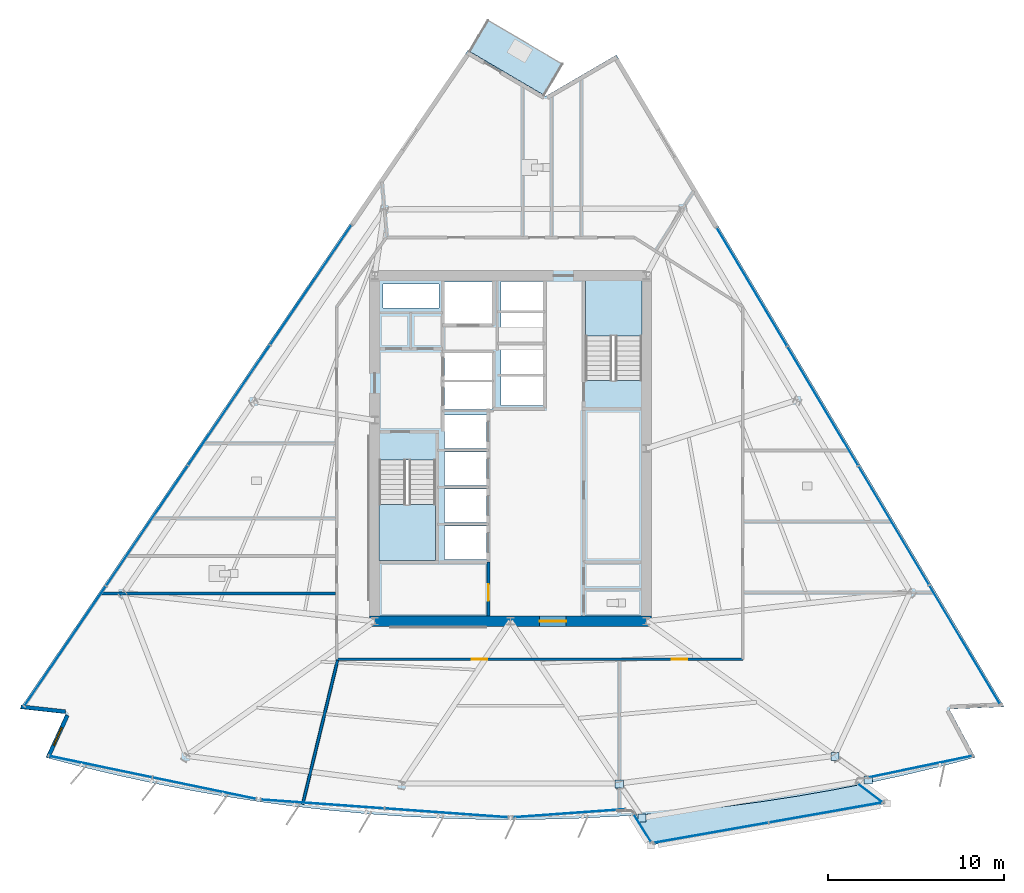
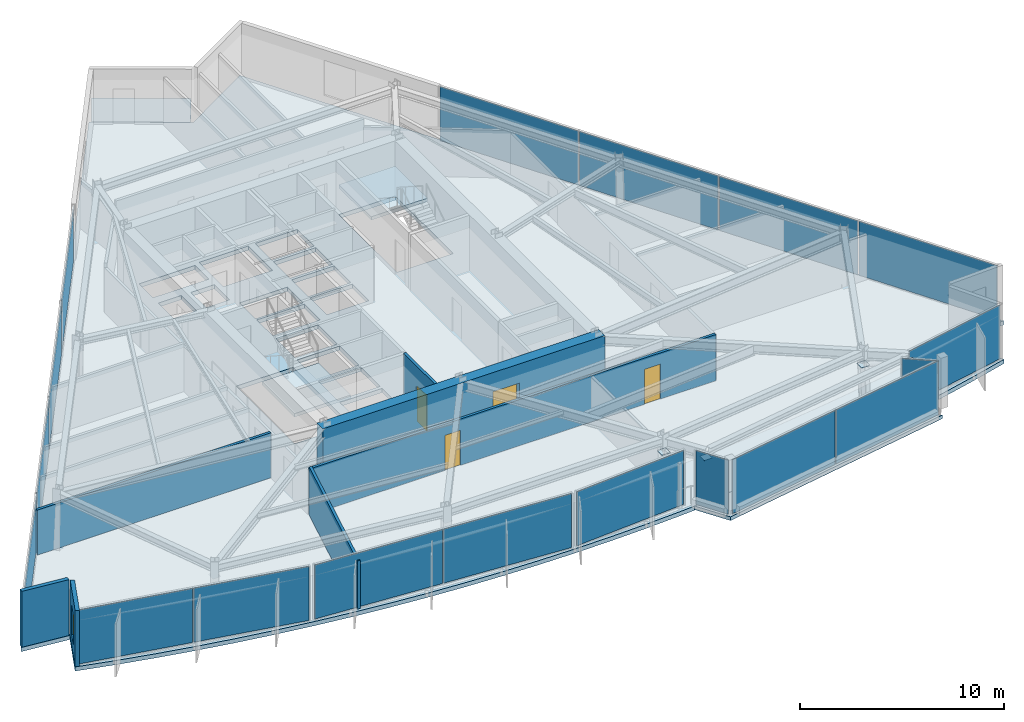
# One storey, part 7 of 15: 22 plates, 7 walls, 5 slabs, 4 doors, 1 window, 5 openings, 11 elements without a shape of their own.
"""IFC4 building model written with IfcOpenShell, lengths in metres."""

from ifc_helpers import new_model, si_unit, direction, frame, frame_2d, origin, origin_2d, place, context, subcontext, project, spatial, polyline, rectangle, outline, extrude, material, layer, layer_set, type_object, element, fill, aggregate, save


model = new_model("IFC4")

# Units and contexts
model_context = context("Model", 3, precision=1e-05, world=origin(), true_north=direction((0.0, 1.0)))
body_context = subcontext(model_context, "Body", "Model", "MODEL_VIEW")
ifc_project = project(units=[si_unit("LENGTHUNIT", "METRE"), si_unit("AREAUNIT", "SQUARE_METRE"), si_unit("VOLUMEUNIT", "CUBIC_METRE"), si_unit("PLANEANGLEUNIT", "RADIAN"), si_unit("MASSUNIT", "GRAM", prefix="KILO")], contexts=[model_context])

# Site, building, storey
site_placement = place(None, origin())
site = spatial("IfcSite", under=ifc_project, at=site_placement, CompositionType="ELEMENT")
building_placement = place(site_placement, origin())
building = spatial("IfcBuilding", under=site, at=building_placement, Name="Savorim Split Tower", CompositionType="ELEMENT")
storey_placement = place(building_placement, frame((0.0, 0.0, 122.10009765625)))
storey = spatial("IfcBuildingStorey", under=building, at=storey_placement, Name="L32", CompositionType="ELEMENT", Elevation=122.10009765625)

# Curtain wall, plates
ifc_material_1 = material(Name="Dark Ceramic-Fritted Insulated Glass", Category="glass")
curtain_wall_type_1 = type_object("IfcCurtainWallType", Name="CW-TWR-FRIT-A", PredefinedType="NOTDEFINED", material=ifc_material_1)
curtain_wall_1_placement = place(storey_placement, origin())
curtain_wall_1 = element("IfcCurtainWall", 1, at=curtain_wall_1_placement, inside=storey, type_object=curtain_wall_type_1, Name="L32 Curtain Wall CW-L32-SF1A", PredefinedType="NOTDEFINED")
ifc_layer_1 = layer(ifc_material_1, 0.028076171875)
ifc_layer_set_1 = layer_set([ifc_layer_1], Name="CWP-FRITA-28")
plate_type_1 = type_object("IfcPlateType", Name="CWP-FRITA-28", PredefinedType="CURTAIN_PANEL", material=ifc_layer_set_1)
plate_1_placement = place(storey_placement, frame((-23.2548828125, -17.645751953125, 0.0546875), z_axis=(0.0, 0.0, 1.0), x_axis=(0.979133868491, -0.203216307351, 0.0)))
plate_1 = element("IfcPlate", 2, at=plate_1_placement, type_object=plate_type_1, Name="CW-02 panel 1.1", PredefinedType="CURTAIN_PANEL", context=body_context, shape_type="SweptSolid", body=[
    extrude(rectangle(XDim=5.952880859375, YDim=0.028076171875, at=origin_2d()), origin(), (0.0, 0.0, 1.0), 3.239990234375),
])
plate_2_placement = place(storey_placement, frame((-17.362548828125, -18.86865234375, 0.0546875), z_axis=(0.0, 0.0, 1.0), x_axis=(0.979133868491, -0.203216307351, 0.0)))
plate_2 = element("IfcPlate", 3, at=plate_2_placement, type_object=plate_type_1, Name="CW-02 panel 2.1", PredefinedType="CURTAIN_PANEL", context=body_context, shape_type="SweptSolid", body=[
    extrude(rectangle(XDim=5.952880859375, YDim=0.028076171875, at=origin_2d()), origin(), (0.0, 0.0, 1.0), 3.239990234375),
])
aggregate(curtain_wall_1, [plate_1, plate_2])

curtain_wall_2_placement = place(storey_placement, origin())
curtain_wall_2 = element("IfcCurtainWall", 4, at=curtain_wall_2_placement, inside=storey, type_object=curtain_wall_type_1, Name="L32 Curtain Wall CW-L32-SF2A", PredefinedType="NOTDEFINED")
plate_3_placement = place(storey_placement, frame((-10.65869140625, -19.766357421875, 0.0546875), z_axis=(0.0, 0.0, 1.0), x_axis=(0.997436369916, -0.071558982453, 0.0)))
plate_3 = element("IfcPlate", 5, at=plate_3_placement, type_object=plate_type_1, Name="CW-02 panel 1.1", PredefinedType="CURTAIN_PANEL", context=body_context, shape_type="SweptSolid", body=[
    extrude(rectangle(XDim=6.976318359375, YDim=0.028076171875, at=origin_2d()), origin(), (0.0, 0.0, 1.0), 3.239990234375),
])
plate_4_placement = place(storey_placement, frame((-3.63525390625, -20.27001953125, 0.0546875), z_axis=(0.0, 0.0, 1.0), x_axis=(0.997436369916, -0.071558982453, 0.0)))
plate_4 = element("IfcPlate", 6, at=plate_4_placement, type_object=plate_type_1, Name="CW-02 panel 2.1", PredefinedType="CURTAIN_PANEL", context=body_context, shape_type="SweptSolid", body=[
    extrude(rectangle(XDim=6.976318359375, YDim=0.028076171875, at=origin_2d()), origin(), (0.0, 0.0, 1.0), 3.239990234375),
])
aggregate(curtain_wall_2, [plate_3, plate_4])

# Curtain wall, plate
curtain_wall_3_placement = place(storey_placement, origin())
curtain_wall_3 = element("IfcCurtainWall", 7, at=curtain_wall_3_placement, inside=storey, type_object=curtain_wall_type_1, Name="L32 Curtain Wall CW-L32-SF3A", PredefinedType="NOTDEFINED")
plate_5_placement = place(storey_placement, frame((3.314453125, -20.293212890625, 0.0546875), z_axis=(0.0, 0.0, 1.0), x_axis=(0.997436108021, 0.071562632816, 0.0)))
plate_5 = element("IfcPlate", 8, at=plate_5_placement, type_object=plate_type_1, Name="CW-02 panel 1.1", PredefinedType="CURTAIN_PANEL", context=body_context, shape_type="SweptSolid", body=[
    extrude(rectangle(XDim=6.332763671875, YDim=0.028076171875, at=origin_2d()), origin(), (0.0, 0.0, 1.0), 3.239990234375),
])
aggregate(curtain_wall_3, [plate_5])

curtain_wall_4_placement = place(storey_placement, origin())
curtain_wall_4 = element("IfcCurtainWall", 9, at=curtain_wall_4_placement, inside=storey, type_object=curtain_wall_type_1, Name="L32 Curtain Wall CW-L32-SF4A", PredefinedType="NOTDEFINED")
plate_6_placement = place(storey_placement, frame((23.23974609375, -17.648681640625, 0.0546875), z_axis=(0.0, 0.0, 1.0), x_axis=(0.979135126967, 0.203210243687, 0.0)))
plate_6 = element("IfcPlate", 10, at=plate_6_placement, type_object=plate_type_1, Name="CW-02 panel 1.1", PredefinedType="CURTAIN_PANEL", context=body_context, shape_type="SweptSolid", body=[
    extrude(rectangle(XDim=5.98388671875, YDim=0.028076171875, at=origin_2d()), origin(), (0.0, 0.0, 1.0), 3.239990234375),
])
aggregate(curtain_wall_4, [plate_6])

# Curtain wall, plates
curtain_wall_5_placement = place(storey_placement, origin())
curtain_wall_5 = element("IfcCurtainWall", 11, at=curtain_wall_5_placement, inside=storey, type_object=curtain_wall_type_1, Name="L32 Curtain Wall CW-L32-EAST", PredefinedType="NOTDEFINED")
plate_7_placement = place(storey_placement, frame((25.752197265625, -10.72705078125, 0.0546875), z_axis=(0.0, 0.0, 1.0), x_axis=(-0.51109301502, 0.859525409745, 0.0)))
plate_7 = element("IfcPlate", 12, at=plate_7_placement, type_object=plate_type_1, Name="CW-02 panel 1.1", PredefinedType="CURTAIN_PANEL", context=body_context, shape_type="SweptSolid", body=[
    extrude(rectangle(XDim=7.777587890625, YDim=0.028076171875, at=origin_2d()), origin(), (0.0, 0.0, 1.0), 3.239990234375),
])
plate_8_placement = place(storey_placement, frame((21.735595703125, -3.972412109375, 0.0546875), z_axis=(0.0, 0.0, 1.0), x_axis=(-0.51109301502, 0.859525409745, 0.0)))
plate_8 = element("IfcPlate", 13, at=plate_8_placement, type_object=plate_type_1, Name="CW-02 panel 2.1", PredefinedType="CURTAIN_PANEL", context=body_context, shape_type="SweptSolid", body=[
    extrude(rectangle(XDim=7.81005859375, YDim=0.028076171875, at=origin_2d()), origin(), (0.0, 0.0, 1.0), 3.239990234375),
])
plate_9_placement = place(storey_placement, frame((17.710693359375, 2.79638671875, 0.0546875), z_axis=(0.0, 0.0, 1.0), x_axis=(-0.51109301502, 0.859525409745, 0.0)))
plate_9 = element("IfcPlate", 14, at=plate_9_placement, type_object=plate_type_1, Name="CW-02 panel 3.1", PredefinedType="CURTAIN_PANEL", context=body_context, shape_type="SweptSolid", body=[
    extrude(rectangle(XDim=7.81005859375, YDim=0.028076171875, at=origin_2d()), origin(), (0.0, 0.0, 1.0), 3.239990234375),
])
plate_10_placement = place(storey_placement, frame((13.6943359375, 9.55126953125, 0.0546875), z_axis=(0.0, 0.0, 1.0), x_axis=(-0.51109301502, 0.859525409745, 0.0)))
plate_10 = element("IfcPlate", 15, at=plate_10_placement, type_object=plate_type_1, Name="CW-02 panel 4.1", PredefinedType="CURTAIN_PANEL", context=body_context, shape_type="SweptSolid", body=[
    extrude(rectangle(XDim=7.777587890625, YDim=0.028076171875, at=origin_2d()), origin(), (0.0, 0.0, 1.0), 3.239990234375),
])
aggregate(curtain_wall_5, [plate_7, plate_8, plate_9, plate_10])

curtain_wall_6_placement = place(storey_placement, origin())
curtain_wall_6 = element("IfcCurtainWall", 16, at=curtain_wall_6_placement, inside=storey, type_object=curtain_wall_type_1, Name="L32 Curtain Wall CW-L32-WEST", PredefinedType="NOTDEFINED")
plate_11_placement = place(storey_placement, frame((-11.3193359375, 9.67529296875, 0.0546875), z_axis=(0.0, 0.0, 1.0), x_axis=(-0.562466669628, -0.826819959579, 0.0)))
plate_11 = element("IfcPlate", 17, at=plate_11_placement, type_object=plate_type_1, Name="CW-02 panel 1.1", PredefinedType="CURTAIN_PANEL", context=body_context, shape_type="SweptSolid", body=[
    extrude(rectangle(XDim=8.174072265625, YDim=0.028076171875, at=origin_2d()), origin(), (0.0, 0.0, 1.0), 3.239990234375),
])
plate_12_placement = place(storey_placement, frame((-15.962646484375, 2.849609375, 0.0546875), z_axis=(0.0, 0.0, 1.0), x_axis=(-0.562466669628, -0.826819959579, 0.0)))
plate_12 = element("IfcPlate", 18, at=plate_12_placement, type_object=plate_type_1, Name="CW-02 panel 2.1", PredefinedType="CURTAIN_PANEL", context=body_context, shape_type="SweptSolid", body=[
    extrude(rectangle(XDim=8.20654296875, YDim=0.028076171875, at=origin_2d()), origin(), (0.0, 0.0, 1.0), 3.239990234375),
])
plate_13_placement = place(storey_placement, frame((-20.615234375, -3.989501953125, 0.0546875), z_axis=(0.0, 0.0, 1.0), x_axis=(-0.562466669628, -0.826819959579, 0.0)))
plate_13 = element("IfcPlate", 19, at=plate_13_placement, type_object=plate_type_1, Name="CW-02 panel 3.1", PredefinedType="CURTAIN_PANEL", context=body_context, shape_type="SweptSolid", body=[
    extrude(rectangle(XDim=8.20654296875, YDim=0.028076171875, at=origin_2d()), origin(), (0.0, 0.0, 1.0), 3.239990234375),
])
plate_14_placement = place(storey_placement, frame((-25.258544921875, -10.815185546875, 0.0546875), z_axis=(0.0, 0.0, 1.0), x_axis=(-0.562466669628, -0.826819959579, 0.0)))
plate_14 = element("IfcPlate", 20, at=plate_14_placement, type_object=plate_type_1, Name="CW-02 panel 4.1", PredefinedType="CURTAIN_PANEL", context=body_context, shape_type="SweptSolid", body=[
    extrude(rectangle(XDim=8.174072265625, YDim=0.028076171875, at=origin_2d()), origin(), (0.0, 0.0, 1.0), 3.239990234375),
])
aggregate(curtain_wall_6, [plate_11, plate_12, plate_13, plate_14])

curtain_wall_type_2 = type_object("IfcCurtainWallType", Name="CW-BAY-LOUNGE", PredefinedType="NOTDEFINED", material=ifc_material_1)
curtain_wall_7_placement = place(storey_placement, origin())
curtain_wall_7 = element("IfcCurtainWall", 21, at=curtain_wall_7_placement, inside=storey, type_object=curtain_wall_type_2, Name="L32 Curtain Wall CW-L32-BAYF", PredefinedType="NOTDEFINED")
ifc_material_2 = material(Name="Low-E Operable Double Glazing", Category="glass")
ifc_layer_2 = layer(ifc_material_2, 0.031982421875)
ifc_layer_set_2 = layer_set([ifc_layer_2], Name="CWP-POD-32")
plate_type_2 = type_object("IfcPlateType", Name="CWP-POD-32", PredefinedType="CURTAIN_PANEL", material=ifc_layer_set_2)
plate_15_placement = place(storey_placement, frame((11.37060546875, -21.397705078125, 0.0546875), z_axis=(0.0, 0.0, 1.0), x_axis=(0.984798033566, 0.173703290368, 0.0)))
plate_15 = element("IfcPlate", 22, at=plate_15_placement, type_object=plate_type_2, Name="CW-04 panel 1.1", PredefinedType="CURTAIN_PANEL", context=body_context, shape_type="SweptSolid", body=[
    extrude(rectangle(XDim=6.57763671875, YDim=0.031982421875, at=origin_2d()), origin(), (0.0, 0.0, 1.0), 3.239990234375),
])
plate_16_placement = place(storey_placement, frame((17.912353515625, -20.24365234375, 0.0546875), z_axis=(0.0, 0.0, 1.0), x_axis=(0.984798033566, 0.173703290368, 0.0)))
plate_16 = element("IfcPlate", 23, at=plate_16_placement, type_object=plate_type_2, Name="CW-04 panel 2.1", PredefinedType="CURTAIN_PANEL", context=body_context, shape_type="SweptSolid", body=[
    extrude(rectangle(XDim=6.57763671875, YDim=0.031982421875, at=origin_2d()), origin(), (0.0, 0.0, 1.0), 3.239990234375),
])
aggregate(curtain_wall_7, [plate_15, plate_16])

# Curtain wall, plate
curtain_wall_8_placement = place(storey_placement, origin())
curtain_wall_8 = element("IfcCurtainWall", 24, at=curtain_wall_8_placement, inside=storey, type_object=curtain_wall_type_2, Name="L32 Curtain Wall CW-L32-BAYW", PredefinedType="NOTDEFINED")
plate_17_placement = place(storey_placement, frame((7.483154296875, -21.139892578125, 0.0546875), z_axis=(0.0, 0.0, 1.0), x_axis=(0.531434504875, -0.847099384387, 0.0)))
plate_17 = element("IfcPlate", 25, at=plate_17_placement, type_object=plate_type_2, Name="CW-04 panel 1.1", PredefinedType="CURTAIN_PANEL", context=body_context, shape_type="SweptSolid", body=[
    extrude(rectangle(XDim=1.81005859375, YDim=0.031982421875, at=origin_2d()), origin(), (0.0, 0.0, 1.0), 3.239990234375),
])
aggregate(curtain_wall_8, [plate_17])

curtain_wall_9_placement = place(storey_placement, origin())
curtain_wall_9 = element("IfcCurtainWall", 26, at=curtain_wall_9_placement, inside=storey, type_object=curtain_wall_type_2, Name="L32 Curtain Wall CW-L32-BAYE", PredefinedType="NOTDEFINED")
plate_18_placement = place(storey_placement, frame((20.3955078125, -19.140869140625, 0.0546875), z_axis=(0.0, 0.0, 1.0), x_axis=(-0.797192293395, 0.603725473499, 0.0)))
plate_18 = element("IfcPlate", 27, at=plate_18_placement, type_object=plate_type_2, Name="CW-04 panel 1.1", PredefinedType="CURTAIN_PANEL", context=body_context, shape_type="SweptSolid", body=[
    extrude(rectangle(XDim=1.704833984375, YDim=0.031982421875, at=origin_2d()), origin(), (0.0, 0.0, 1.0), 3.239990234375),
])
aggregate(curtain_wall_9, [plate_18])

# Plates
ifc_material_3 = material(Name="Steel S460", Category="steel")
ifc_layer_3 = layer(ifc_material_3, 0.02490234375)
ifc_layer_set_3 = layer_set([ifc_layer_3], Name="PLT-NODE-CN1")
plate_type_3 = type_object("IfcPlateType", Name="PLT-NODE-CN1", PredefinedType="SHEET", material=ifc_layer_set_3)
for number, where, z_axis, x_axis, name in (
    (28, (6.167724609375, -18.64208984375, 2.4375), (0.0, 0.0, 1.0), (1.0, 0.0, 0.0), "L32 Bay Strut Column Gusset Plate 1"),
    (29, (7.467041015625, -20.5546875, 2.807373046875), (0.0, 0.0, 1.0), (1.0, 0.0, 0.0), "L32 Bay Strut Tip Gusset Plate 1"),
    (30, (18.402587890625, -17.0712890625, 2.4375), (0.0, 0.0, 1.0), (1.0, 0.0, 0.0), "L32 Bay Strut Column Gusset Plate 2"),
    (31, (20.290771484375, -18.3994140625, 2.807373046875), (0.0, 0.0, 1.0), (1.0, 0.0, 0.0), "L32 Bay Strut Tip Gusset Plate 2"),
):
    element("IfcPlate", number, at=place(storey_placement, frame(where, z_axis=z_axis, x_axis=x_axis)), inside=storey, type_object=plate_type_3, Name=name, PredefinedType="SHEET", context=body_context, shape_type="SweptSolid", body=[
        extrude(rectangle(XDim=0.4599609375, YDim=0.4599609375, at=origin_2d()), origin(), (0.0, 0.0, 1.0), 0.02490234375),
    ])

# Slabs
ifc_material_4 = material(Name="Concrete C50/60", Category="concrete")
ifc_layer_4 = layer(ifc_material_4, 0.219970703125)
ifc_layer_set_4 = layer_set([ifc_layer_4], Name="SLB-BAL-220")
slab_type_1 = type_object("IfcSlabType", Name="SLB-BAL-220", PredefinedType="FLOOR", material=ifc_layer_set_4)
slab_1_placement = place(storey_placement, frame((0.0, 0.0, -0.22021484375)))
element("IfcSlab", 32, at=slab_1_placement, inside=storey, type_object=slab_type_1, Name="L32 Cantilevered Shared Kitchen Lounge Slab", PredefinedType="FLOOR", context=body_context, shape_type="SweptSolid", body=[
    extrude(outline(polyline([(19.912841796875, -18.64990234375), (18.358642578125, -18.955810546875), (16.33837890625, -19.310791015625), (14.31103515625, -19.62451171875), (12.277587890625, -19.896484375), (10.2392578125, -20.126953125), (8.196533203125, -20.315673828125), (6.906005859375, -20.408203125), (7.967041015625, -22.099609375), (21.3505859375, -19.73876953125), (19.912841796875, -18.64990234375)])), origin(), (0.0, 0.0, 1.0), 0.22021484375),
])
slab_2_placement = place(storey_placement, frame((0.0, 0.0, -0.22021484375)))
element("IfcSlab", 33, at=slab_2_placement, inside=storey, type_object=slab_type_1, Name="L32 Notched Corner Planted Tree Balcony Slab", PredefinedType="FLOOR", context=body_context, shape_type="SweptSolid", body=[
    extrude(outline(polyline([(-2.314697265625, 22.9130859375), (1.894287109375, 20.439208984375), (2.930419921875, 22.202392578125), (-1.278564453125, 24.676025390625), (-2.314697265625, 22.9130859375)])), origin(), (0.0, 0.0, 1.0), 0.22021484375),
])

# Stair, slab
stair_type = type_object("IfcStairType", Name="STR-DOG-3600", PredefinedType="HALF_TURN_STAIR", material=ifc_material_4)
stair_1_placement = place(storey_placement, origin())
stair_1 = element("IfcStair", 34, at=stair_1_placement, inside=storey, type_object=stair_type, Name="L32 Core Protected Exit Stair ST-1", PredefinedType="HALF_TURN_STAIR")
ifc_layer_5 = layer(ifc_material_4, 0.199951171875)
ifc_layer_set_5 = layer_set([ifc_layer_5], Name="SLB-LND-200")
slab_type_2 = type_object("IfcSlabType", Name="SLB-LND-200", PredefinedType="LANDING", material=ifc_layer_set_5)
slab_3_placement = place(storey_placement, frame((0.0, 0.0, 1.599853515625)))
slab_3 = element("IfcSlab", 35, at=slab_3_placement, type_object=slab_type_2, Name="ST-1 landing 1", PredefinedType="LANDING", context=body_context, shape_type="SweptSolid", body=[
    extrude(outline(polyline([(-7.449951171875, -2.77001953125), (-7.449951171875, -5.949951171875), (-4.25, -5.949951171875), (-4.25, -2.77001953125), (-7.449951171875, -2.77001953125)])), origin(), (0.0, 0.0, 1.0), 0.199951171875),
])
aggregate(stair_1, [slab_3])

stair_2_placement = place(storey_placement, origin())
stair_2 = element("IfcStair", 36, at=stair_2_placement, inside=storey, type_object=stair_type, Name="L32 Core Protected Exit Stair ST-2", PredefinedType="HALF_TURN_STAIR")
slab_4_placement = place(storey_placement, frame((0.0, 0.0, 1.599853515625)))
slab_4 = element("IfcSlab", 37, at=slab_4_placement, type_object=slab_type_2, Name="ST-2 landing 1", PredefinedType="LANDING", context=body_context, shape_type="SweptSolid", body=[
    extrude(outline(polyline([(7.449951171875, 6.77001953125), (7.449951171875, 9.949951171875), (4.25, 9.949951171875), (4.25, 6.77001953125), (7.449951171875, 6.77001953125)])), origin(), (0.0, 0.0, 1.0), 0.199951171875),
])
aggregate(stair_2, [slab_4])

# Slab
ifc_layer_6 = layer(ifc_material_4, 0.25)
ifc_layer_set_6 = layer_set([ifc_layer_6], Name="SLB-TWR-250")
slab_type_3 = type_object("IfcSlabType", Name="SLB-TWR-250", PredefinedType="FLOOR", material=ifc_layer_set_6)
slab_5_placement = place(storey_placement, frame((0.0, 0.0, -0.25)))
element("IfcSlab", 38, at=slab_5_placement, inside=storey, type_object=slab_type_3, Name="L32 Structural Floor Slab", PredefinedType="FLOOR", context=body_context, shape_type="SweptSolid", body=[
    extrude(outline(polyline([(-26.355224609375, -17.124755859375), (-24.37060546875, -17.643798828125), (-22.375732421875, -18.1220703125), (-20.37158203125, -18.5595703125), (-18.358642578125, -18.955810546875), (-16.33837890625, -19.310791015625), (-14.31103515625, -19.62451171875), (-12.277587890625, -19.896484375), (-10.2392578125, -20.126953125), (-8.196533203125, -20.315673828125), (-6.150390625, -20.46240234375), (-4.101806640625, -20.5673828125), (-2.05126953125, -20.630126953125), (0.0, -20.651123046875), (2.05126953125, -20.630126953125), (4.101806640625, -20.5673828125), (6.150390625, -20.46240234375), (8.196533203125, -20.315673828125), (10.2392578125, -20.126953125), (12.277587890625, -19.896484375), (14.31103515625, -19.62451171875), (16.33837890625, -19.310791015625), (18.358642578125, -18.955810546875), (20.37158203125, -18.5595703125), (22.375732421875, -18.1220703125), (24.37060546875, -17.643798828125), (26.355224609375, -17.124755859375), (24.88525390625, -14.38525390625), (27.988525390625, -14.25341796875), (6.0078125, 22.712890625), (1.9951171875, 20.374267578125), (-2.420654296875, 22.969482421875), (-27.81689453125, -14.362548828125), (-25.21923828125, -14.652587890625), (-26.355224609375, -17.124755859375)]), holes=[polyline([(-7.449951171875, -0.25390625), (-7.449951171875, -5.949951171875), (-4.25, -5.949951171875), (-4.25, -0.25390625), (-7.449951171875, -0.25390625)]), polyline([(7.449951171875, 4.25390625), (7.449951171875, 9.949951171875), (4.25, 9.949951171875), (4.25, 4.25390625), (7.449951171875, 4.25390625)]), polyline([(-3.75, -5.89990234375), (-1.35009765625, -5.89990234375), (-1.35009765625, -4.0), (-3.75, -4.0), (-3.75, -5.89990234375)]), polyline([(-3.75, -3.800048828125), (-1.35009765625, -3.800048828125), (-1.35009765625, -1.89990234375), (-3.75, -1.89990234375), (-3.75, -3.800048828125)]), polyline([(-3.75, -1.699951171875), (-1.35009765625, -1.699951171875), (-1.35009765625, 0.199951171875), (-3.75, 0.199951171875), (-3.75, -1.699951171875)]), polyline([(-3.75, 0.39990234375), (-1.35009765625, 0.39990234375), (-1.35009765625, 2.300048828125), (-3.75, 2.300048828125), (-3.75, 0.39990234375)]), polyline([(-0.550048828125, 2.830078125), (1.85009765625, 2.830078125), (1.85009765625, 4.469970703125), (-0.550048828125, 4.469970703125), (-0.550048828125, 2.830078125)]), polyline([(-0.550048828125, 4.6298828125), (1.85009765625, 4.6298828125), (1.85009765625, 6.27001953125), (-0.550048828125, 6.27001953125), (-0.550048828125, 4.6298828125)]), polyline([(-0.550048828125, 6.429931640625), (1.85009765625, 6.429931640625), (1.85009765625, 8.070068359375), (-0.550048828125, 8.070068359375), (-0.550048828125, 6.429931640625)]), polyline([(-0.550048828125, 8.22998046875), (1.85009765625, 8.22998046875), (1.85009765625, 9.8701171875), (-0.550048828125, 9.8701171875), (-0.550048828125, 8.22998046875)]), polyline([(-3.75, 2.60009765625), (-1.050048828125, 2.60009765625), (-1.050048828125, 4.159912109375), (-3.75, 4.159912109375), (-3.75, 2.60009765625)]), polyline([(-3.75, 4.280029296875), (-1.050048828125, 4.280029296875), (-1.050048828125, 5.840087890625), (-3.75, 5.840087890625), (-3.75, 4.280029296875)]), polyline([(-3.75, 7.449951171875), (-0.949951171875, 7.449951171875), (-0.949951171875, 9.85009765625), (-3.75, 9.85009765625), (-3.75, 7.449951171875)]), polyline([(-7.219970703125, 6.320068359375), (-5.919921875, 6.320068359375), (-5.919921875, 7.820068359375), (-7.219970703125, 7.820068359375), (-7.219970703125, 6.320068359375)]), polyline([(-5.3798828125, 6.320068359375), (-4.050048828125, 6.320068359375), (-4.050048828125, 7.820068359375), (-5.3798828125, 7.820068359375), (-5.3798828125, 6.320068359375)]), polyline([(-7.219970703125, 8.360107421875), (-4.050048828125, 8.360107421875), (-4.050048828125, 9.719970703125), (-7.219970703125, 9.719970703125), (-7.219970703125, 8.360107421875)])]), origin(), (0.0, 0.0, 1.0), 0.25),
])

# Wall, opening, door
ifc_material_5 = material(Name="Concrete C60/75", Category="concrete")
ifc_layer_7 = layer(ifc_material_5, 0.60009765625)
ifc_layer_set_7 = layer_set([ifc_layer_7], Name="WAL-COR-SH600")
wall_type_1 = type_object("IfcWallType", Name="WAL-COR-SH600", PredefinedType="SHEAR", material=ifc_layer_set_7)
wall_1_placement = place(storey_placement, frame((-8.0, -9.39990234375, 0.0), z_axis=(0.0, 0.0, 1.0), x_axis=(1.0, 0.0, 0.0)))
wall_1 = element("IfcWall", 39, at=wall_1_placement, inside=storey, type_object=wall_type_1, Name="L32 Offset Core South Shear Wall", PredefinedType="SHEAR", context=body_context, shape_type="SweptSolid", body=[
    extrude(rectangle(XDim=16.0, YDim=0.60009765625, at=frame_2d((8.0, 0.0))), origin(), (0.0, 0.0, 1.0), 3.349853515625),
])
opening_1_placement = place(wall_1_placement, frame((9.64990234375, 0.0, 0.0)))
opening_1 = element("IfcOpeningElement", 40, at=opening_1_placement, cuts=wall_1, Name="Opening DI-02", PredefinedType="OPENING", context=body_context, shape_type="SweptSolid", body=[
    extrude(rectangle(XDim=1.5, YDim=2.199951171875, at=frame_2d((0.75, 1.10009765625))), frame((0.0, 0.31005859375, 0.0), z_axis=(0.0, -1.0, 0.0), x_axis=(1.0, 0.0, 0.0)), (0.0, 0.0, 1.0), 0.6201171875),
])
ifc_material_6 = material(Name="Timber Fire Door Leaf", Category="wood")
door_type_1 = type_object("IfcDoorType", Name="DOR-DBL-1500", OperationType="NOTDEFINED", PredefinedType="DOOR", material=ifc_material_6)
door_1_placement = place(opening_1_placement, origin())
door_1 = element("IfcDoor", 41, at=door_1_placement, inside=storey, type_object=door_type_1, Name="DOR-L32-COR-LLOB - L32 Lift Lobby Main Rated Door", OperationType="DOUBLE_DOOR_SINGLE_SWING", OverallHeight=2.199951171875, OverallWidth=1.5, PredefinedType="DOOR", context=body_context, shape_type="SweptSolid", body=[
    extrude(rectangle(XDim=1.5, YDim=2.199951171875, at=frame_2d((0.75, 1.10009765625))), frame((0.0, 0.02490234375, 0.0), z_axis=(0.0, -1.0, 0.0), x_axis=(1.0, 0.0, 0.0)), (0.0, 0.0, 1.0), 0.050048828125),
])
fill(opening_1, door_1)

# Wall
ifc_material_7 = material(Name="Precast concrete C40/50", Category="concrete")
ifc_layer_8 = layer(ifc_material_7, 0.219970703125)
ifc_layer_set_8 = layer_set([ifc_layer_8], Name="WAL-EXT-CRN220")
wall_type_2 = type_object("IfcWallType", Name="WAL-EXT-CRN220", PredefinedType="SOLIDWALL", material=ifc_layer_set_8)
wall_2_placement = place(storey_placement, frame((-25.24560546875, -14.52880859375, 0.0), z_axis=(0.0, 0.0, 1.0), x_axis=(-0.993831926713, 0.110896805395, 0.0)))
element("IfcWall", 42, at=wall_2_placement, inside=storey, type_object=wall_type_2, Name="L32 Notched Corner Facade Wall SW1", PredefinedType="SOLIDWALL", context=body_context, shape_type="SweptSolid", body=[
    extrude(rectangle(XDim=2.533935546875, YDim=0.219970703125, at=frame_2d((1.26708984375, 0.0))), origin(), (0.0, 0.0, 1.0), 3.349853515625),
])

# Wall, opening, window
wall_3_placement = place(storey_placement, frame((-26.2294921875, -17.138671875, 0.0), z_axis=(0.0, 0.0, 1.0), x_axis=(0.417498108462, 0.908677791866, 0.0)))
wall_3 = element("IfcWall", 43, at=wall_3_placement, inside=storey, type_object=wall_type_2, Name="L32 Notched Corner Facade Wall SW", PredefinedType="SOLIDWALL", context=body_context, shape_type="SweptSolid", body=[
    extrude(rectangle(XDim=2.640869140625, YDim=0.219970703125, at=frame_2d((1.3203125, 0.0))), origin(), (0.0, 0.0, 1.0), 3.349853515625),
])
opening_2_placement = place(wall_3_placement, frame((0.7705078125, 0.0, 0.6201171875)))
opening_2 = element("IfcOpeningElement", 44, at=opening_2_placement, cuts=wall_3, Name="Opening WN-09", PredefinedType="OPENING", context=body_context, shape_type="SweptSolid", body=[
    extrude(rectangle(XDim=1.10009765625, YDim=1.800048828125, at=frame_2d((0.550048828125, 0.89990234375))), frame((0.0, 0.119873046875, 0.0), z_axis=(0.0, -1.0, 0.0), x_axis=(1.0, 0.0, 0.0)), (0.0, 0.0, 1.0), 0.239990234375),
])
window_type = type_object("IfcWindowType", Name="WIN-TWR-1100x1800", PartitioningType="SINGLE_PANEL", PredefinedType="WINDOW", material=ifc_material_2)
window_placement = place(opening_2_placement, origin())
window = element("IfcWindow", 45, at=window_placement, inside=storey, type_object=window_type, Name="L32 Operable Corner Window SW", OverallHeight=1.800048828125, OverallWidth=1.10009765625, PartitioningType="SINGLE_PANEL", PredefinedType="WINDOW", context=body_context, shape_type="SweptSolid", body=[
    extrude(rectangle(XDim=1.10009765625, YDim=1.800048828125, at=frame_2d((0.550048828125, 0.89990234375))), frame((0.0, 0.030029296875, 0.0), z_axis=(0.0, -1.0, 0.0), x_axis=(1.0, 0.0, 0.0)), (0.0, 0.0, 1.0), 0.06005859375),
])
fill(opening_2, window)

# Wall, opening, door
ifc_material_8 = material(Name="Acoustic Gypsum Partition Board")
ifc_layer_9 = layer(ifc_material_8, 0.14990234375)
ifc_layer_set_9 = layer_set([ifc_layer_9], Name="WAL-PAR-150")
wall_type_3 = type_object("IfcWallType", Name="WAL-PAR-150", PredefinedType="PARTITIONING", material=ifc_layer_set_9)
wall_4_placement = place(storey_placement, frame((-1.25, -9.094970703125, 0.0), z_axis=(0.0, 0.0, 1.0), x_axis=(0.0, 1.0, 0.0)))
wall_4 = element("IfcWall", 46, at=wall_4_placement, inside=storey, type_object=wall_type_3, Name="L32 Partition W-L32-KLOB-W", PredefinedType="PARTITIONING", context=body_context, shape_type="SweptSolid", body=[
    extrude(rectangle(XDim=3.044921875, YDim=0.14990234375, at=frame_2d((1.5224609375, 0.0))), origin(), (0.0, 0.0, 1.0), 3.349853515625),
])
opening_3_placement = place(wall_4_placement, frame((0.844970703125, 0.0, 0.0)))
opening_3 = element("IfcOpeningElement", 47, at=opening_3_placement, cuts=wall_4, Name="Opening DI-05", PredefinedType="OPENING", context=body_context, shape_type="SweptSolid", body=[
    extrude(rectangle(XDim=0.949951171875, YDim=2.10009765625, at=frame_2d((0.47509765625, 1.050048828125))), frame((0.0, 0.0849609375, 0.0), z_axis=(0.0, -1.0, 0.0), x_axis=(1.0, 0.0, 0.0)), (0.0, 0.0, 1.0), 0.169921875),
])
door_type_2 = type_object("IfcDoorType", Name="DOR-FIR-950", OperationType="NOTDEFINED", PredefinedType="DOOR", material=ifc_material_6)
door_2_placement = place(opening_3_placement, origin())
door_2 = element("IfcDoor", 48, at=door_2_placement, inside=storey, type_object=door_type_2, Name="DR-L32-K3LIN - L32 Housekeeping Store Door", OperationType="SINGLE_SWING_LEFT", OverallHeight=2.10009765625, OverallWidth=0.949951171875, PredefinedType="DOOR", context=body_context, shape_type="SweptSolid", body=[
    extrude(rectangle(XDim=0.949951171875, YDim=2.10009765625, at=frame_2d((0.47509765625, 1.050048828125))), frame((0.0, 0.02490234375, 0.0), z_axis=(0.0, -1.0, 0.0), x_axis=(1.0, 0.0, 0.0)), (0.0, 0.0, 1.0), 0.050048828125),
])
fill(opening_3, door_2)

# Wall, openings, doors
wall_5_placement = place(storey_placement, frame((13.179931640625, -11.56005859375, 0.0), z_axis=(0.0, 0.0, 1.0), x_axis=(-1.0, 0.0, 0.0)))
wall_5 = element("IfcWall", 49, at=wall_5_placement, inside=storey, type_object=wall_type_3, Name="L32 Partition W-L32-COR-06", PredefinedType="PARTITIONING", context=body_context, shape_type="SweptSolid", body=[
    extrude(rectangle(XDim=23.0400390625, YDim=0.14990234375, at=frame_2d((11.52001953125, 0.0))), origin(), (0.0, 0.0, 1.0), 2.77490234375),
])
opening_4_placement = place(wall_5_placement, frame((14.48486328125, 0.0, 0.0)))
opening_4 = element("IfcOpeningElement", 50, at=opening_4_placement, cuts=wall_5, Name="Opening DI-06", PredefinedType="OPENING", context=body_context, shape_type="SweptSolid", body=[
    extrude(rectangle(XDim=0.89990234375, YDim=2.10009765625, at=frame_2d((0.449951171875, 1.050048828125))), frame((0.0, 0.0849609375, 0.0), z_axis=(0.0, -1.0, 0.0), x_axis=(1.0, 0.0, 0.0)), (0.0, 0.0, 1.0), 0.169921875),
])
opening_5_placement = place(wall_5_placement, frame((3.14306640625, 0.0, 0.0)))
opening_5 = element("IfcOpeningElement", 51, at=opening_5_placement, cuts=wall_5, Name="Opening DI-06", PredefinedType="OPENING", context=body_context, shape_type="SweptSolid", body=[
    extrude(rectangle(XDim=0.89990234375, YDim=2.10009765625, at=frame_2d((0.449951171875, 1.050048828125))), frame((0.0, 0.0849609375, 0.0), z_axis=(0.0, -1.0, 0.0), x_axis=(1.0, 0.0, 0.0)), (0.0, 0.0, 1.0), 0.169921875),
])
door_type_3 = type_object("IfcDoorType", Name="DOR-FIR-900", OperationType="NOTDEFINED", PredefinedType="DOOR", material=ifc_material_6)
door_3_placement = place(opening_4_placement, origin())
door_3 = element("IfcDoor", 52, at=door_3_placement, inside=storey, type_object=door_type_3, Name="DR-L32-RM05 - L32 Co-Working Commons Entry Door", OperationType="SINGLE_SWING_RIGHT", OverallHeight=2.10009765625, OverallWidth=0.89990234375, PredefinedType="DOOR", context=body_context, shape_type="SweptSolid", body=[
    extrude(rectangle(XDim=0.89990234375, YDim=2.10009765625, at=frame_2d((0.449951171875, 1.050048828125))), frame((0.0, 0.02490234375, 0.0), z_axis=(0.0, -1.0, 0.0), x_axis=(1.0, 0.0, 0.0)), (0.0, 0.0, 1.0), 0.050048828125),
])
fill(opening_4, door_3)
door_4_placement = place(opening_5_placement, origin())
door_4 = element("IfcDoor", 53, at=door_4_placement, inside=storey, type_object=door_type_3, Name="DR-L32-RM06 - L32 Maker Workshop Entry Door", OperationType="SINGLE_SWING_LEFT", OverallHeight=2.10009765625, OverallWidth=0.89990234375, PredefinedType="DOOR", context=body_context, shape_type="SweptSolid", body=[
    extrude(rectangle(XDim=0.89990234375, YDim=2.10009765625, at=frame_2d((0.449951171875, 1.050048828125))), frame((0.0, 0.02490234375, 0.0), z_axis=(0.0, -1.0, 0.0), x_axis=(1.0, 0.0, 0.0)), (0.0, 0.0, 1.0), 0.050048828125),
])
fill(opening_5, door_4)

# Walls
wall_6_placement = place(storey_placement, frame((-9.919921875, -7.8310546875, 0.0), z_axis=(0.0, 0.0, 1.0), x_axis=(-1.0, 0.0, 0.0)))
element("IfcWall", 54, at=wall_6_placement, inside=storey, type_object=wall_type_3, Name="L32 Partition W-L32-PRAD10", PredefinedType="PARTITIONING", context=body_context, shape_type="SweptSolid", body=[
    extrude(rectangle(XDim=13.248291015625, YDim=0.14990234375, at=frame_2d((6.6240234375, 0.0))), origin(), (0.0, 0.0, 1.0), 2.704833984375),
])
wall_7_placement = place(storey_placement, frame((-9.80712890625, -11.616943359375, 0.0), z_axis=(0.0, 0.0, 1.0), x_axis=(-0.235554275972, -0.971861195373, 0.0)))
element("IfcWall", 55, at=wall_7_placement, inside=storey, type_object=wall_type_3, Name="L32 Partition W-L32-SUB03", PredefinedType="PARTITIONING", context=body_context, shape_type="SweptSolid", body=[
    extrude(rectangle(XDim=8.400390625, YDim=0.14990234375, at=frame_2d((4.2001953125, 0.0))), origin(), (0.0, 0.0, 1.0), 2.885009765625),
])

save(model, "model.ifc")
